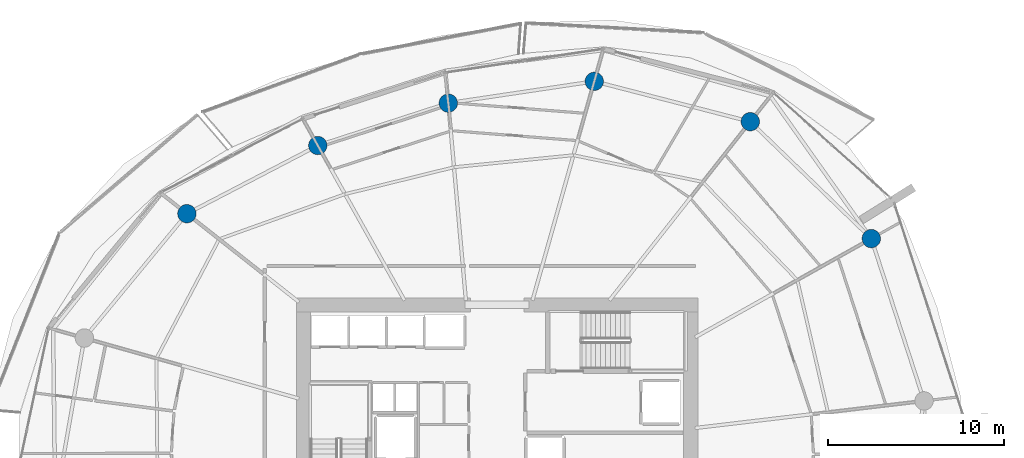
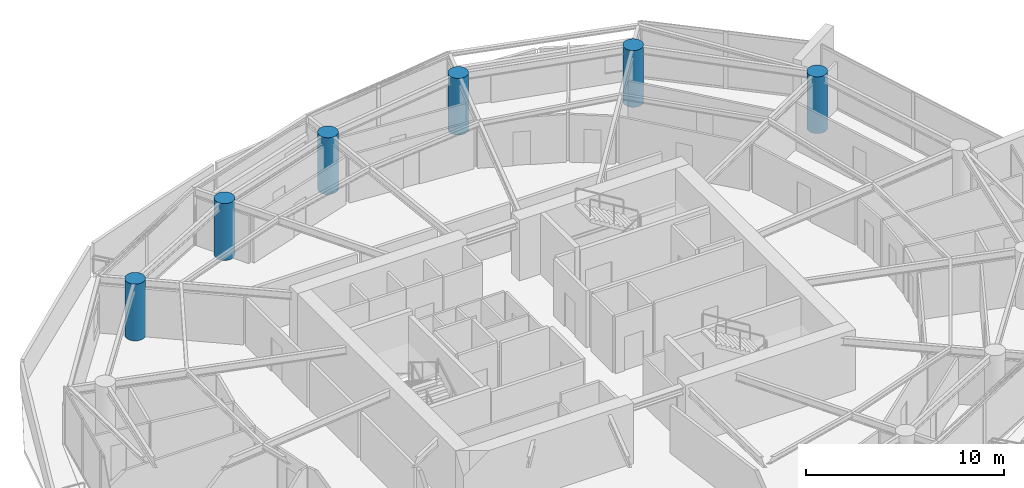
# One storey, part 4 of 20: 6 columns.
"""IFC4 building model written with IfcOpenShell, lengths in metres."""

from ifc_helpers import new_model, si_unit, direction, frame, origin, origin_2d, place, context, subcontext, project, spatial, circle, extrude, material, material_profile, profile_set, type_object, element, save


model = new_model("IFC4")

# Units and contexts
model_context = context("Model", 3, precision=1e-05, world=origin(), true_north=direction((0.0, 1.0)))
body_context = subcontext(model_context, "Body", "Model", "MODEL_VIEW")
ifc_project = project(units=[si_unit("LENGTHUNIT", "METRE"), si_unit("AREAUNIT", "SQUARE_METRE"), si_unit("VOLUMEUNIT", "CUBIC_METRE"), si_unit("PLANEANGLEUNIT", "RADIAN"), si_unit("MASSUNIT", "GRAM", prefix="KILO")], contexts=[model_context])

# Site, building, storey
site_placement = place(None, origin())
site = spatial("IfcSite", under=ifc_project, at=site_placement, CompositionType="ELEMENT")
building_placement = place(site_placement, origin())
building = spatial("IfcBuilding", under=site, at=building_placement, Name="Kazma Halo Residences", CompositionType="ELEMENT")
storey_placement = place(building_placement, frame((0.0, 0.0, 146.550048828125)))
storey = spatial("IfcBuildingStorey", under=building, at=storey_placement, Name="L36", CompositionType="ELEMENT", Elevation=146.550048828125)

# Columns
ifc_material = material(Name="Concrete C80/95", Category="concrete")
ifc_material_profile = material_profile(ifc_material, circle(Radius=0.52490234375, at=origin_2d()), Name="CIRC1050")
ifc_profile_set = profile_set([ifc_material_profile], Name="Concrete C80/95")
column_type = type_object("IfcColumnType", Name="COL-PERIM-1050", PredefinedType="COLUMN", material=ifc_profile_set)
for number, where, z_axis, x_axis, name in (
    (1, (69.730224609375, 54.16943359375, 0.0), (0.0, 0.0, 1.0), (1.0, 0.0, 0.0), "L36 perimeter ring column P01"),
    (2, (62.839599609375, 60.82373046875, 0.0), (0.0, 0.0, 1.0), (1.0, 0.0, 0.0), "L36 perimeter ring column P02"),
    (3, (53.95703125, 63.121826171875, 0.0), (0.0, 0.0, 1.0), (1.0, 0.0, 0.0), "L36 perimeter ring column P03"),
    (4, (45.64697265625, 61.881103515625, 0.0), (0.0, 0.0, 1.0), (1.0, 0.0, 0.0), "L36 perimeter ring column P04"),
    (5, (38.218017578125, 59.46728515625, 0.0), (0.0, 0.0, 1.0), (1.0, 0.0, 0.0), "L36 perimeter ring column P05"),
    (6, (30.765625, 55.58642578125, 0.0), (0.0, 0.0, 1.0), (1.0, 0.0, 0.0), "L36 perimeter ring column P06"),
):
    element("IfcColumn", number, at=place(storey_placement, frame(where, z_axis=z_axis, x_axis=x_axis)), inside=storey, type_object=column_type, Name=name, PredefinedType="COLUMN", context=body_context, shape_type="SweptSolid", body=[
        extrude(circle(Radius=0.52490234375, at=origin_2d()), origin(), (0.0, 0.0, 1.0), 3.5),
    ])

save(model, "model.ifc")
